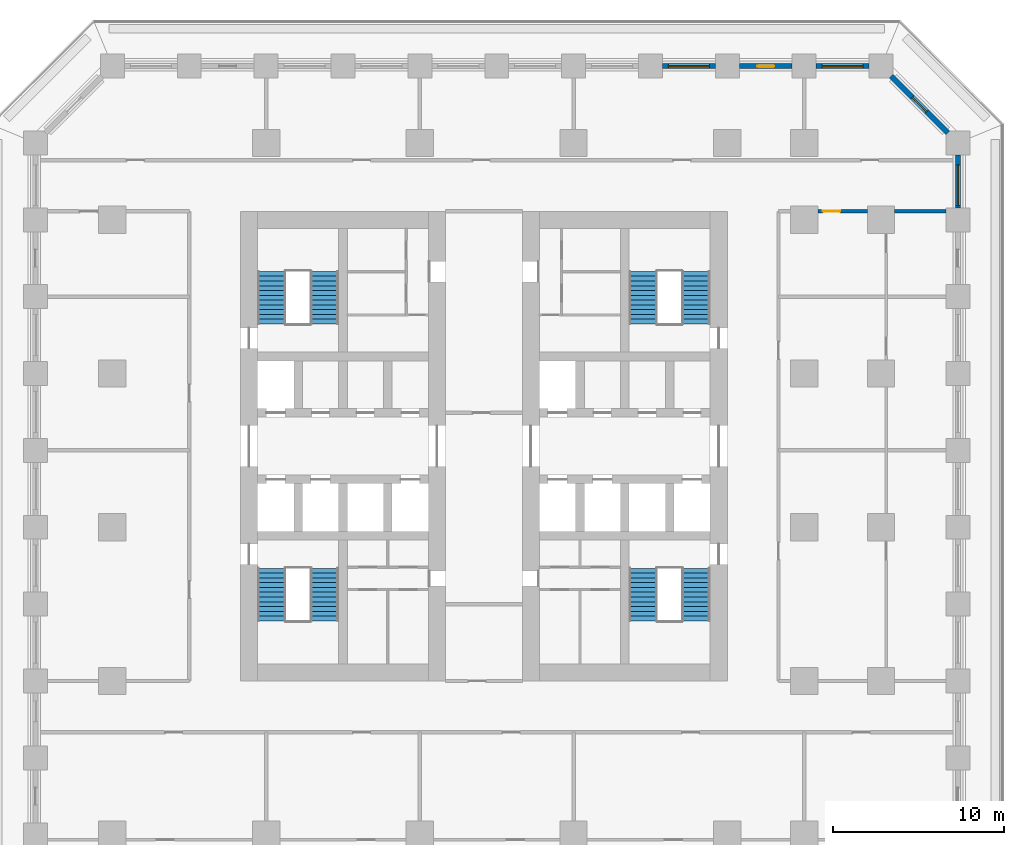
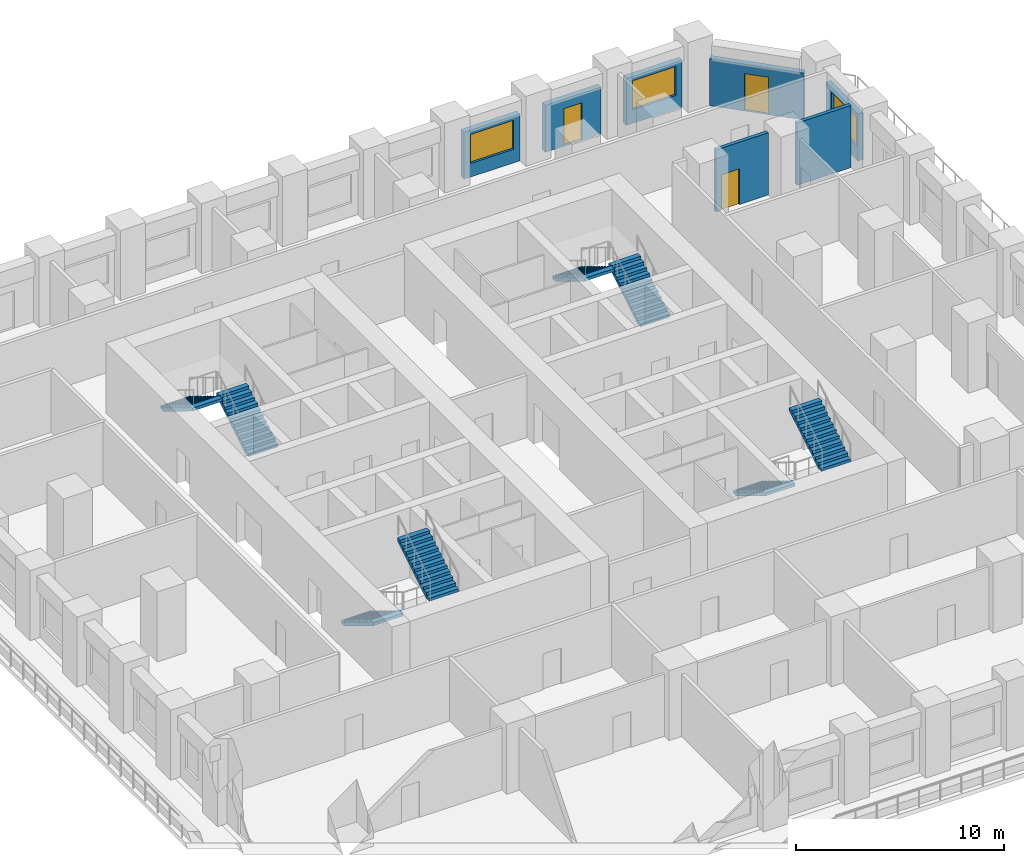
# One storey, part 8 of 11: 8 stair flights, 7 walls, 3 doors, 3 windows, 6 openings, 4 elements without a shape of their own.
"""IFC4 building model written with IfcOpenShell, lengths in metres."""

from ifc_helpers import new_model, si_unit, direction, frame, frame_2d, origin, place, context, subcontext, project, spatial, polyline, rectangle, outline, extrude, material, layer, layer_set, type_object, element, fill, aggregate, save


model = new_model("IFC4")

# Units and contexts
model_context = context("Model", 3, precision=1e-05, world=origin(), true_north=direction((0.0, 1.0)))
body_context = subcontext(model_context, "Body", "Model", "MODEL_VIEW")
ifc_project = project(units=[si_unit("LENGTHUNIT", "METRE"), si_unit("AREAUNIT", "SQUARE_METRE"), si_unit("VOLUMEUNIT", "CUBIC_METRE"), si_unit("PLANEANGLEUNIT", "RADIAN"), si_unit("MASSUNIT", "GRAM", prefix="KILO")], contexts=[model_context])

# Site, building, storey
site_placement = place(None, origin())
site = spatial("IfcSite", under=ifc_project, at=site_placement, CompositionType="ELEMENT")
building_placement = place(site_placement, origin())
building = spatial("IfcBuilding", under=site, at=building_placement, Name="Corbel Stack Research Tower", CompositionType="ELEMENT")
storey_placement = place(building_placement, frame((0.0, 0.0, 62.39990234375)))
storey = spatial("IfcBuildingStorey", under=building, at=storey_placement, Name="L14", CompositionType="ELEMENT", Elevation=62.39990234375)

# Wall, opening, door
ifc_material_1 = material(Name="Fire-rated gypsum board partition on steel studs", Category="steel")
ifc_layer_1 = layer(ifc_material_1, 0.199951171875)
ifc_layer_set_1 = layer_set([ifc_layer_1], Name="Fire-rated gypsum board partition on steel studs")
wall_type_1 = type_object("IfcWallType", Name="Fire-rated partition 200 EI 60", PredefinedType="PARTITIONING", material=ifc_layer_set_1)
wall_1_placement = place(storey_placement, frame((26.199951171875, 18.5, 0.0), z_axis=(0.0, 0.0, 1.0), x_axis=(-1.0, 0.0, 0.0)))
wall_1 = element("IfcWall", 1, at=wall_1_placement, inside=storey, type_object=wall_type_1, Name="Partition L14-043", PredefinedType="PARTITIONING", context=body_context, shape_type="SweptSolid", body=[
    extrude(rectangle(XDim=2.89990234375, YDim=0.199951171875, at=frame_2d((1.449951171875, 0.0))), origin(), (0.0, 0.0, 1.0), 3.650146484375),
])
opening_1_placement = place(wall_1_placement, frame((1.60009765625, 0.0, 0.0)))
opening_1 = element("IfcOpeningElement", 2, at=opening_1_placement, cuts=wall_1, Name="Opening B2V2-016", PredefinedType="OPENING", context=body_context, shape_type="SweptSolid", body=[
    extrude(rectangle(XDim=1.0, YDim=2.10009765625, at=frame_2d((0.5, 1.050048828125))), frame((0.0, 0.10986328125, 0.0), z_axis=(0.0, -1.0, 0.0), x_axis=(1.0, 0.0, 0.0)), (0.0, 0.0, 1.0), 0.219970703125),
])
ifc_material_2 = material(Name="Painted steel fire door", Category="steel")
door_type_1 = type_object("IfcDoorType", Name="Fire door FD30S 1000 x 2100", OperationType="NOTDEFINED", PredefinedType="DOOR", material=ifc_material_2)
door_1_placement = place(opening_1_placement, origin())
door_1 = element("IfcDoor", 3, at=door_1_placement, inside=storey, type_object=door_type_1, Name="Door B2V2-016", OperationType="SINGLE_SWING_RIGHT", OverallHeight=2.10009765625, OverallWidth=1.0, PredefinedType="DOOR", context=body_context, shape_type="SweptSolid", body=[
    extrude(rectangle(XDim=1.0, YDim=2.10009765625, at=frame_2d((0.5, 1.050048828125))), frame((0.0, 0.02490234375, 0.0), z_axis=(0.0, -1.0, 0.0), x_axis=(1.0, 0.0, 0.0)), (0.0, 0.0, 1.0), 0.050048828125),
])
fill(opening_1, door_1)

# Wall
wall_2_placement = place(storey_placement, frame((27.800048828125, 18.5, 0.0), z_axis=(0.0, 0.0, 1.0), x_axis=(1.0, 0.0, 0.0)))
element("IfcWall", 4, at=wall_2_placement, inside=storey, type_object=wall_type_1, Name="Partition L14-044", PredefinedType="PARTITIONING", context=body_context, shape_type="SweptSolid", body=[
    extrude(rectangle(XDim=3.0, YDim=0.199951171875, at=frame_2d((1.5, 0.0))), origin(), (0.0, 0.0, 1.0), 3.650146484375),
])

# Wall, opening, window
ifc_material_3 = material(Name="Concrete C45/55", Category="concrete")
ifc_layer_2 = layer(ifc_material_3, 0.300048828125)
ifc_layer_set_2 = layer_set([ifc_layer_2], Name="Concrete C45/55")
wall_type_2 = type_object("IfcWallType", Name="Terracotta-faced concrete wall 300", PredefinedType="SOLIDWALL", material=ifc_layer_set_2)
wall_3_placement = place(storey_placement, frame((31.5, 21.800048828125, 0.0), z_axis=(0.0, 0.0, 1.0), x_axis=(0.0, -1.0, 0.0)))
wall_3 = element("IfcWall", 5, at=wall_3_placement, inside=storey, type_object=wall_type_2, Name="Facade wall L14 E10", PredefinedType="SOLIDWALL", context=body_context, shape_type="SweptSolid", body=[
    extrude(rectangle(XDim=3.10009765625, YDim=0.300048828125, at=frame_2d((1.550048828125, 0.0))), origin(), (0.0, 0.0, 1.0), 2.75),
])
opening_2_placement = place(wall_3_placement, frame((0.574951171875, 0.0, 0.800048828125)))
opening_2 = element("IfcOpeningElement", 6, at=opening_2_placement, cuts=wall_3, Name="Opening W1", PredefinedType="OPENING", context=body_context, shape_type="SweptSolid", body=[
    extrude(rectangle(XDim=2.39990234375, YDim=1.699951171875, at=frame_2d((1.199951171875, 0.85009765625))), frame((0.0, 0.159912109375, 0.0), z_axis=(0.0, -1.0, 0.0), x_axis=(1.0, 0.0, 0.0)), (0.0, 0.0, 1.0), 0.320068359375),
])
ifc_material_4 = material(Name="Aluminium frame, clear double glazing", Category="aluminium")
window_type = type_object("IfcWindowType", Name="Window W1 2400 x 1700", PartitioningType="SINGLE_PANEL", PredefinedType="WINDOW", material=ifc_material_4)
window_1_placement = place(opening_2_placement, origin())
window_1 = element("IfcWindow", 7, at=window_1_placement, inside=storey, type_object=window_type, Name="Window W1 L14 E10", OverallHeight=1.699951171875, OverallWidth=2.39990234375, PartitioningType="SINGLE_PANEL", PredefinedType="WINDOW", context=body_context, shape_type="SweptSolid", body=[
    extrude(rectangle(XDim=2.39990234375, YDim=1.699951171875, at=frame_2d((1.199951171875, 0.85009765625))), frame((0.0, 0.030029296875, 0.0), z_axis=(0.0, -1.0, 0.0), x_axis=(1.0, 0.0, 0.0)), (0.0, 0.0, 1.0), 0.06005859375),
])
fill(opening_2, window_1)

# Wall, opening, door
wall_4_placement = place(storey_placement, frame((27.593994140625, 26.406005859375, 0.0), z_axis=(0.0, 0.0, 1.0), x_axis=(0.707106781187, -0.707106781187, 0.0)))
wall_4 = element("IfcWall", 8, at=wall_4_placement, inside=storey, type_object=wall_type_2, Name="Facade wall L14 NE01", PredefinedType="SOLIDWALL", context=body_context, shape_type="SweptSolid", body=[
    extrude(rectangle(XDim=4.683837890625, YDim=0.300048828125, at=frame_2d((2.341796875, 0.0))), origin(), (0.0, 0.0, 1.0), 2.75),
])
opening_3_placement = place(wall_4_placement, frame((1.741943359375, 0.0, 0.0)))
opening_3 = element("IfcOpeningElement", 9, at=opening_3_placement, cuts=wall_4, Name="Opening L14-B06", PredefinedType="OPENING", context=body_context, shape_type="SweptSolid", body=[
    extrude(rectangle(XDim=1.199951171875, YDim=2.199951171875, at=frame_2d((0.60009765625, 1.10009765625))), frame((0.0, 0.159912109375, 0.0), z_axis=(0.0, -1.0, 0.0), x_axis=(1.0, 0.0, 0.0)), (0.0, 0.0, 1.0), 0.320068359375),
])
ifc_material_5 = material(Name="Aluminium frame, clear double glazing", Category="aluminium")
door_type_2 = type_object("IfcDoorType", Name="Balcony door BD2 1200 x 2200", OperationType="NOTDEFINED", PredefinedType="DOOR", material=ifc_material_5)
door_2_placement = place(opening_3_placement, origin())
door_2 = element("IfcDoor", 10, at=door_2_placement, inside=storey, type_object=door_type_2, Name="Balcony door L14-B06", OperationType="SINGLE_SWING_LEFT", OverallHeight=2.199951171875, OverallWidth=1.199951171875, PredefinedType="DOOR", context=body_context, shape_type="SweptSolid", body=[
    extrude(rectangle(XDim=1.199951171875, YDim=2.199951171875, at=frame_2d((0.60009765625, 1.10009765625))), frame((0.0, 0.02490234375, 0.0), z_axis=(0.0, -1.0, 0.0), x_axis=(1.0, 0.0, 0.0)), (0.0, 0.0, 1.0), 0.050048828125),
])
fill(opening_3, door_2)

# Wall, opening, window
wall_5_placement = place(storey_placement, frame((23.199951171875, 27.0, 0.0), z_axis=(0.0, 0.0, 1.0), x_axis=(1.0, 0.0, 0.0)))
wall_5 = element("IfcWall", 11, at=wall_5_placement, inside=storey, type_object=wall_type_2, Name="Facade wall L14 N01", PredefinedType="SOLIDWALL", context=body_context, shape_type="SweptSolid", body=[
    extrude(rectangle(XDim=3.10009765625, YDim=0.300048828125, at=frame_2d((1.550048828125, 0.0))), origin(), (0.0, 0.0, 1.0), 2.75),
])
opening_4_placement = place(wall_5_placement, frame((0.35009765625, 0.0, 0.800048828125)))
opening_4 = element("IfcOpeningElement", 12, at=opening_4_placement, cuts=wall_5, Name="Opening W1", PredefinedType="OPENING", context=body_context, shape_type="SweptSolid", body=[
    extrude(rectangle(XDim=2.39990234375, YDim=1.699951171875, at=frame_2d((1.199951171875, 0.85009765625))), frame((0.0, 0.159912109375, 0.0), z_axis=(0.0, -1.0, 0.0), x_axis=(1.0, 0.0, 0.0)), (0.0, 0.0, 1.0), 0.320068359375),
])
window_2_placement = place(opening_4_placement, origin())
window_2 = element("IfcWindow", 13, at=window_2_placement, inside=storey, type_object=window_type, Name="Window W1 L14 N01", OverallHeight=1.699951171875, OverallWidth=2.39990234375, PartitioningType="SINGLE_PANEL", PredefinedType="WINDOW", context=body_context, shape_type="SweptSolid", body=[
    extrude(rectangle(XDim=2.39990234375, YDim=1.699951171875, at=frame_2d((1.199951171875, 0.85009765625))), frame((0.0, 0.030029296875, 0.0), z_axis=(0.0, -1.0, 0.0), x_axis=(1.0, 0.0, 0.0)), (0.0, 0.0, 1.0), 0.06005859375),
])
fill(opening_4, window_2)

# Wall, opening, door
wall_6_placement = place(storey_placement, frame((18.699951171875, 27.0, 0.0), z_axis=(0.0, 0.0, 1.0), x_axis=(1.0, 0.0, 0.0)))
wall_6 = element("IfcWall", 14, at=wall_6_placement, inside=storey, type_object=wall_type_2, Name="Facade wall L14 N02", PredefinedType="SOLIDWALL", context=body_context, shape_type="SweptSolid", body=[
    extrude(rectangle(XDim=3.10009765625, YDim=0.300048828125, at=frame_2d((1.550048828125, 0.0))), origin(), (0.0, 0.0, 1.0), 2.75),
])
opening_5_placement = place(wall_6_placement, frame((1.050048828125, 0.0, 0.0)))
opening_5 = element("IfcOpeningElement", 15, at=opening_5_placement, cuts=wall_6, Name="Opening L14-B07", PredefinedType="OPENING", context=body_context, shape_type="SweptSolid", body=[
    extrude(rectangle(XDim=1.0, YDim=2.199951171875, at=frame_2d((0.5, 1.10009765625))), frame((0.0, 0.159912109375, 0.0), z_axis=(0.0, -1.0, 0.0), x_axis=(1.0, 0.0, 0.0)), (0.0, 0.0, 1.0), 0.320068359375),
])
ifc_material_6 = material(Name="Aluminium frame, clear double glazing", Category="aluminium")
door_type_3 = type_object("IfcDoorType", Name="Balcony door BD1 1000 x 2200", OperationType="NOTDEFINED", PredefinedType="DOOR", material=ifc_material_6)
door_3_placement = place(opening_5_placement, origin())
door_3 = element("IfcDoor", 16, at=door_3_placement, inside=storey, type_object=door_type_3, Name="Balcony door L14-B07", OperationType="SINGLE_SWING_RIGHT", OverallHeight=2.199951171875, OverallWidth=1.0, PredefinedType="DOOR", context=body_context, shape_type="SweptSolid", body=[
    extrude(rectangle(XDim=1.0, YDim=2.199951171875, at=frame_2d((0.5, 1.10009765625))), frame((0.0, 0.02490234375, 0.0), z_axis=(0.0, -1.0, 0.0), x_axis=(1.0, 0.0, 0.0)), (0.0, 0.0, 1.0), 0.050048828125),
])
fill(opening_5, door_3)

# Wall, opening, window
wall_7_placement = place(storey_placement, frame((14.199951171875, 27.0, 0.0), z_axis=(0.0, 0.0, 1.0), x_axis=(1.0, 0.0, 0.0)))
wall_7 = element("IfcWall", 17, at=wall_7_placement, inside=storey, type_object=wall_type_2, Name="Facade wall L14 N03", PredefinedType="SOLIDWALL", context=body_context, shape_type="SweptSolid", body=[
    extrude(rectangle(XDim=3.10009765625, YDim=0.300048828125, at=frame_2d((1.550048828125, 0.0))), origin(), (0.0, 0.0, 1.0), 2.75),
])
opening_6_placement = place(wall_7_placement, frame((0.35009765625, 0.0, 0.800048828125)))
opening_6 = element("IfcOpeningElement", 18, at=opening_6_placement, cuts=wall_7, Name="Opening W1", PredefinedType="OPENING", context=body_context, shape_type="SweptSolid", body=[
    extrude(rectangle(XDim=2.39990234375, YDim=1.699951171875, at=frame_2d((1.199951171875, 0.85009765625))), frame((0.0, 0.159912109375, 0.0), z_axis=(0.0, -1.0, 0.0), x_axis=(1.0, 0.0, 0.0)), (0.0, 0.0, 1.0), 0.320068359375),
])
window_3_placement = place(opening_6_placement, origin())
window_3 = element("IfcWindow", 19, at=window_3_placement, inside=storey, type_object=window_type, Name="Window W1 L14 N03", OverallHeight=1.699951171875, OverallWidth=2.39990234375, PartitioningType="SINGLE_PANEL", PredefinedType="WINDOW", context=body_context, shape_type="SweptSolid", body=[
    extrude(rectangle(XDim=2.39990234375, YDim=1.699951171875, at=frame_2d((1.199951171875, 0.85009765625))), frame((0.0, 0.030029296875, 0.0), z_axis=(0.0, -1.0, 0.0), x_axis=(1.0, 0.0, 0.0)), (0.0, 0.0, 1.0), 0.06005859375),
])
fill(opening_6, window_3)

# Stair, stair flights
ifc_material_7 = material(Name="Concrete C40/50", Category="concrete")
stair_type = type_object("IfcStairType", Name="Exit stair 24 risers", PredefinedType="HALF_TURN_STAIR", material=ifc_material_7)
stair_1_placement = place(storey_placement, origin())
stair_1 = element("IfcStair", 20, at=stair_1_placement, inside=storey, type_object=stair_type, Name="L14 Exit stair ST-W1", PredefinedType="HALF_TURN_STAIR")
ifc_material_8 = material(Name="Concrete C40/50", Category="concrete")
stair_flight_type = type_object("IfcStairFlightType", Name="Stair flight 12 risers", PredefinedType="STRAIGHT", material=ifc_material_8)
stair_flight_1_placement = place(storey_placement, frame((-8.675048828125, -2.39990234375, 0.0), z_axis=(0.0, 0.0, 1.0), x_axis=(0.0, -1.0, 0.0)))
stair_flight_1 = element("IfcStairFlight", 21, at=stair_flight_1_placement, type_object=stair_flight_type, Name="ST-W1 flight 1", NumberOfRisers=12, NumberOfTreads=11, PredefinedType="STRAIGHT", RiserHeight=0.170833333, TreadLength=0.28, context=body_context, shape_type="SweptSolid", body=[
    extrude(outline(polyline([(0.0, 0.0), (0.0, 0.1708984375), (0.280029296875, 0.1708984375), (0.280029296875, 0.341552734375), (0.56005859375, 0.341552734375), (0.56005859375, 0.512451171875), (0.840087890625, 0.512451171875), (0.840087890625, 0.683349609375), (1.1201171875, 0.683349609375), (1.1201171875, 0.854248046875), (1.39990234375, 0.854248046875), (1.39990234375, 1.02490234375), (1.679931640625, 1.02490234375), (1.679931640625, 1.19580078125), (1.9599609375, 1.19580078125), (1.9599609375, 1.36669921875), (2.239990234375, 1.36669921875), (2.239990234375, 1.53759765625), (2.52001953125, 1.53759765625), (2.52001953125, 1.708251953125), (2.800048828125, 1.708251953125), (2.800048828125, 1.879150390625), (3.080078125, 1.879150390625), (3.080078125, 2.050048828125), (3.080078125, 1.70361328125), (0.287841796875, 0.0), (0.0, 0.0)])), frame((0.0, 0.824951171875, 0.0), z_axis=(0.0, -1.0, 0.0), x_axis=(1.0, 0.0, 0.0)), (0.0, 0.0, 1.0), 1.64990234375),
])
stair_flight_2_placement = place(storey_placement, frame((-5.574951171875, -5.47998046875, 2.050048828125), z_axis=(0.0, 0.0, 1.0), x_axis=(0.0, 1.0, 0.0)))
stair_flight_2 = element("IfcStairFlight", 22, at=stair_flight_2_placement, type_object=stair_flight_type, Name="ST-W1 flight 2", NumberOfRisers=12, NumberOfTreads=11, PredefinedType="STRAIGHT", RiserHeight=0.170833333, TreadLength=0.28, context=body_context, shape_type="SweptSolid", body=[
    extrude(outline(polyline([(0.0, 0.0), (0.0, 0.1708984375), (0.280029296875, 0.1708984375), (0.280029296875, 0.341552734375), (0.56005859375, 0.341552734375), (0.56005859375, 0.512451171875), (0.840087890625, 0.512451171875), (0.840087890625, 0.683349609375), (1.1201171875, 0.683349609375), (1.1201171875, 0.854248046875), (1.39990234375, 0.854248046875), (1.39990234375, 1.02490234375), (1.679931640625, 1.02490234375), (1.679931640625, 1.19580078125), (1.9599609375, 1.19580078125), (1.9599609375, 1.36669921875), (2.239990234375, 1.36669921875), (2.239990234375, 1.53759765625), (2.52001953125, 1.53759765625), (2.52001953125, 1.708251953125), (2.800048828125, 1.708251953125), (2.800048828125, 1.879150390625), (3.080078125, 1.879150390625), (3.080078125, 2.050048828125), (3.080078125, 1.70361328125), (0.287841796875, 0.0), (0.0, 0.0)])), frame((0.0, 0.824951171875, 0.0), z_axis=(0.0, -1.0, 0.0), x_axis=(1.0, 0.0, 0.0)), (0.0, 0.0, 1.0), 1.64990234375),
])
aggregate(stair_1, [stair_flight_1, stair_flight_2])

stair_2_placement = place(storey_placement, origin())
stair_2 = element("IfcStair", 23, at=stair_2_placement, inside=storey, type_object=stair_type, Name="L14 Exit stair ST-W2", PredefinedType="HALF_TURN_STAIR")
stair_flight_3_placement = place(storey_placement, frame((-5.574951171875, 11.89990234375, 0.0), z_axis=(0.0, 0.0, 1.0), x_axis=(0.0, 1.0, 0.0)))
stair_flight_3 = element("IfcStairFlight", 24, at=stair_flight_3_placement, type_object=stair_flight_type, Name="ST-W2 flight 1", NumberOfRisers=12, NumberOfTreads=11, PredefinedType="STRAIGHT", RiserHeight=0.170833333, TreadLength=0.28, context=body_context, shape_type="SweptSolid", body=[
    extrude(outline(polyline([(0.0, 0.0), (0.0, 0.1708984375), (0.280029296875, 0.1708984375), (0.280029296875, 0.341552734375), (0.56005859375, 0.341552734375), (0.56005859375, 0.512451171875), (0.840087890625, 0.512451171875), (0.840087890625, 0.683349609375), (1.1201171875, 0.683349609375), (1.1201171875, 0.854248046875), (1.39990234375, 0.854248046875), (1.39990234375, 1.02490234375), (1.679931640625, 1.02490234375), (1.679931640625, 1.19580078125), (1.9599609375, 1.19580078125), (1.9599609375, 1.36669921875), (2.239990234375, 1.36669921875), (2.239990234375, 1.53759765625), (2.52001953125, 1.53759765625), (2.52001953125, 1.708251953125), (2.800048828125, 1.708251953125), (2.800048828125, 1.879150390625), (3.080078125, 1.879150390625), (3.080078125, 2.050048828125), (3.080078125, 1.70361328125), (0.287841796875, 0.0), (0.0, 0.0)])), frame((0.0, 0.824951171875, 0.0), z_axis=(0.0, -1.0, 0.0), x_axis=(1.0, 0.0, 0.0)), (0.0, 0.0, 1.0), 1.64990234375),
])
stair_flight_4_placement = place(storey_placement, frame((-8.675048828125, 14.97998046875, 2.050048828125), z_axis=(0.0, 0.0, 1.0), x_axis=(0.0, -1.0, 0.0)))
stair_flight_4 = element("IfcStairFlight", 25, at=stair_flight_4_placement, type_object=stair_flight_type, Name="ST-W2 flight 2", NumberOfRisers=12, NumberOfTreads=11, PredefinedType="STRAIGHT", RiserHeight=0.170833333, TreadLength=0.28, context=body_context, shape_type="SweptSolid", body=[
    extrude(outline(polyline([(0.0, 0.0), (0.0, 0.1708984375), (0.280029296875, 0.1708984375), (0.280029296875, 0.341552734375), (0.56005859375, 0.341552734375), (0.56005859375, 0.512451171875), (0.840087890625, 0.512451171875), (0.840087890625, 0.683349609375), (1.1201171875, 0.683349609375), (1.1201171875, 0.854248046875), (1.39990234375, 0.854248046875), (1.39990234375, 1.02490234375), (1.679931640625, 1.02490234375), (1.679931640625, 1.19580078125), (1.9599609375, 1.19580078125), (1.9599609375, 1.36669921875), (2.239990234375, 1.36669921875), (2.239990234375, 1.53759765625), (2.52001953125, 1.53759765625), (2.52001953125, 1.708251953125), (2.800048828125, 1.708251953125), (2.800048828125, 1.879150390625), (3.080078125, 1.879150390625), (3.080078125, 2.050048828125), (3.080078125, 1.70361328125), (0.287841796875, 0.0), (0.0, 0.0)])), frame((0.0, 0.824951171875, 0.0), z_axis=(0.0, -1.0, 0.0), x_axis=(1.0, 0.0, 0.0)), (0.0, 0.0, 1.0), 1.64990234375),
])
aggregate(stair_2, [stair_flight_3, stair_flight_4])

stair_3_placement = place(storey_placement, origin())
stair_3 = element("IfcStair", 26, at=stair_3_placement, inside=storey, type_object=stair_type, Name="L14 Exit stair ST-E1", PredefinedType="HALF_TURN_STAIR")
stair_flight_5_placement = place(storey_placement, frame((13.074951171875, -2.39990234375, 0.0), z_axis=(0.0, 0.0, 1.0), x_axis=(0.0, -1.0, 0.0)))
stair_flight_5 = element("IfcStairFlight", 27, at=stair_flight_5_placement, type_object=stair_flight_type, Name="ST-E1 flight 1", NumberOfRisers=12, NumberOfTreads=11, PredefinedType="STRAIGHT", RiserHeight=0.170833333, TreadLength=0.28, context=body_context, shape_type="SweptSolid", body=[
    extrude(outline(polyline([(0.0, 0.0), (0.0, 0.1708984375), (0.280029296875, 0.1708984375), (0.280029296875, 0.341552734375), (0.56005859375, 0.341552734375), (0.56005859375, 0.512451171875), (0.840087890625, 0.512451171875), (0.840087890625, 0.683349609375), (1.1201171875, 0.683349609375), (1.1201171875, 0.854248046875), (1.39990234375, 0.854248046875), (1.39990234375, 1.02490234375), (1.679931640625, 1.02490234375), (1.679931640625, 1.19580078125), (1.9599609375, 1.19580078125), (1.9599609375, 1.36669921875), (2.239990234375, 1.36669921875), (2.239990234375, 1.53759765625), (2.52001953125, 1.53759765625), (2.52001953125, 1.708251953125), (2.800048828125, 1.708251953125), (2.800048828125, 1.879150390625), (3.080078125, 1.879150390625), (3.080078125, 2.050048828125), (3.080078125, 1.70361328125), (0.287841796875, 0.0), (0.0, 0.0)])), frame((0.0, 0.824951171875, 0.0), z_axis=(0.0, -1.0, 0.0), x_axis=(1.0, 0.0, 0.0)), (0.0, 0.0, 1.0), 1.64990234375),
])
stair_flight_6_placement = place(storey_placement, frame((16.175048828125, -5.47998046875, 2.050048828125), z_axis=(0.0, 0.0, 1.0), x_axis=(0.0, 1.0, 0.0)))
stair_flight_6 = element("IfcStairFlight", 28, at=stair_flight_6_placement, type_object=stair_flight_type, Name="ST-E1 flight 2", NumberOfRisers=12, NumberOfTreads=11, PredefinedType="STRAIGHT", RiserHeight=0.170833333, TreadLength=0.28, context=body_context, shape_type="SweptSolid", body=[
    extrude(outline(polyline([(0.0, 0.0), (0.0, 0.1708984375), (0.280029296875, 0.1708984375), (0.280029296875, 0.341552734375), (0.56005859375, 0.341552734375), (0.56005859375, 0.512451171875), (0.840087890625, 0.512451171875), (0.840087890625, 0.683349609375), (1.1201171875, 0.683349609375), (1.1201171875, 0.854248046875), (1.39990234375, 0.854248046875), (1.39990234375, 1.02490234375), (1.679931640625, 1.02490234375), (1.679931640625, 1.19580078125), (1.9599609375, 1.19580078125), (1.9599609375, 1.36669921875), (2.239990234375, 1.36669921875), (2.239990234375, 1.53759765625), (2.52001953125, 1.53759765625), (2.52001953125, 1.708251953125), (2.800048828125, 1.708251953125), (2.800048828125, 1.879150390625), (3.080078125, 1.879150390625), (3.080078125, 2.050048828125), (3.080078125, 1.70361328125), (0.287841796875, 0.0), (0.0, 0.0)])), frame((0.0, 0.824951171875, 0.0), z_axis=(0.0, -1.0, 0.0), x_axis=(1.0, 0.0, 0.0)), (0.0, 0.0, 1.0), 1.64990234375),
])
aggregate(stair_3, [stair_flight_5, stair_flight_6])

stair_4_placement = place(storey_placement, origin())
stair_4 = element("IfcStair", 29, at=stair_4_placement, inside=storey, type_object=stair_type, Name="L14 Exit stair ST-E2", PredefinedType="HALF_TURN_STAIR")
stair_flight_7_placement = place(storey_placement, frame((16.175048828125, 11.89990234375, 0.0), z_axis=(0.0, 0.0, 1.0), x_axis=(0.0, 1.0, 0.0)))
stair_flight_7 = element("IfcStairFlight", 30, at=stair_flight_7_placement, type_object=stair_flight_type, Name="ST-E2 flight 1", NumberOfRisers=12, NumberOfTreads=11, PredefinedType="STRAIGHT", RiserHeight=0.170833333, TreadLength=0.28, context=body_context, shape_type="SweptSolid", body=[
    extrude(outline(polyline([(0.0, 0.0), (0.0, 0.1708984375), (0.280029296875, 0.1708984375), (0.280029296875, 0.341552734375), (0.56005859375, 0.341552734375), (0.56005859375, 0.512451171875), (0.840087890625, 0.512451171875), (0.840087890625, 0.683349609375), (1.1201171875, 0.683349609375), (1.1201171875, 0.854248046875), (1.39990234375, 0.854248046875), (1.39990234375, 1.02490234375), (1.679931640625, 1.02490234375), (1.679931640625, 1.19580078125), (1.9599609375, 1.19580078125), (1.9599609375, 1.36669921875), (2.239990234375, 1.36669921875), (2.239990234375, 1.53759765625), (2.52001953125, 1.53759765625), (2.52001953125, 1.708251953125), (2.800048828125, 1.708251953125), (2.800048828125, 1.879150390625), (3.080078125, 1.879150390625), (3.080078125, 2.050048828125), (3.080078125, 1.70361328125), (0.287841796875, 0.0), (0.0, 0.0)])), frame((0.0, 0.824951171875, 0.0), z_axis=(0.0, -1.0, 0.0), x_axis=(1.0, 0.0, 0.0)), (0.0, 0.0, 1.0), 1.64990234375),
])
stair_flight_8_placement = place(storey_placement, frame((13.074951171875, 14.97998046875, 2.050048828125), z_axis=(0.0, 0.0, 1.0), x_axis=(0.0, -1.0, 0.0)))
stair_flight_8 = element("IfcStairFlight", 31, at=stair_flight_8_placement, type_object=stair_flight_type, Name="ST-E2 flight 2", NumberOfRisers=12, NumberOfTreads=11, PredefinedType="STRAIGHT", RiserHeight=0.170833333, TreadLength=0.28, context=body_context, shape_type="SweptSolid", body=[
    extrude(outline(polyline([(0.0, 0.0), (0.0, 0.1708984375), (0.280029296875, 0.1708984375), (0.280029296875, 0.341552734375), (0.56005859375, 0.341552734375), (0.56005859375, 0.512451171875), (0.840087890625, 0.512451171875), (0.840087890625, 0.683349609375), (1.1201171875, 0.683349609375), (1.1201171875, 0.854248046875), (1.39990234375, 0.854248046875), (1.39990234375, 1.02490234375), (1.679931640625, 1.02490234375), (1.679931640625, 1.19580078125), (1.9599609375, 1.19580078125), (1.9599609375, 1.36669921875), (2.239990234375, 1.36669921875), (2.239990234375, 1.53759765625), (2.52001953125, 1.53759765625), (2.52001953125, 1.708251953125), (2.800048828125, 1.708251953125), (2.800048828125, 1.879150390625), (3.080078125, 1.879150390625), (3.080078125, 2.050048828125), (3.080078125, 1.70361328125), (0.287841796875, 0.0), (0.0, 0.0)])), frame((0.0, 0.824951171875, 0.0), z_axis=(0.0, -1.0, 0.0), x_axis=(1.0, 0.0, 0.0)), (0.0, 0.0, 1.0), 1.64990234375),
])
aggregate(stair_4, [stair_flight_7, stair_flight_8])

save(model, "model.ifc")
